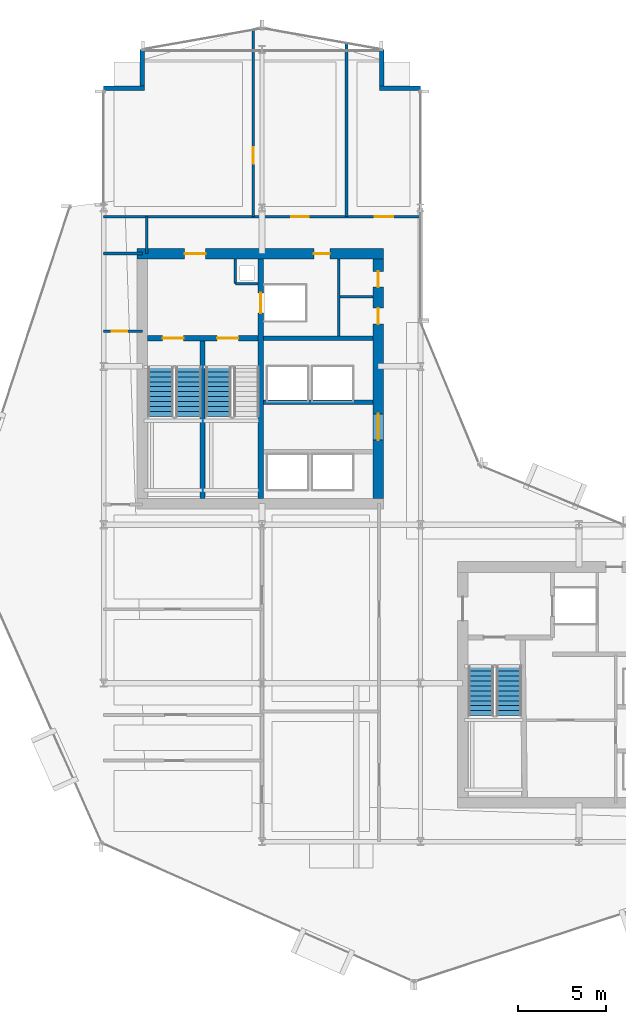
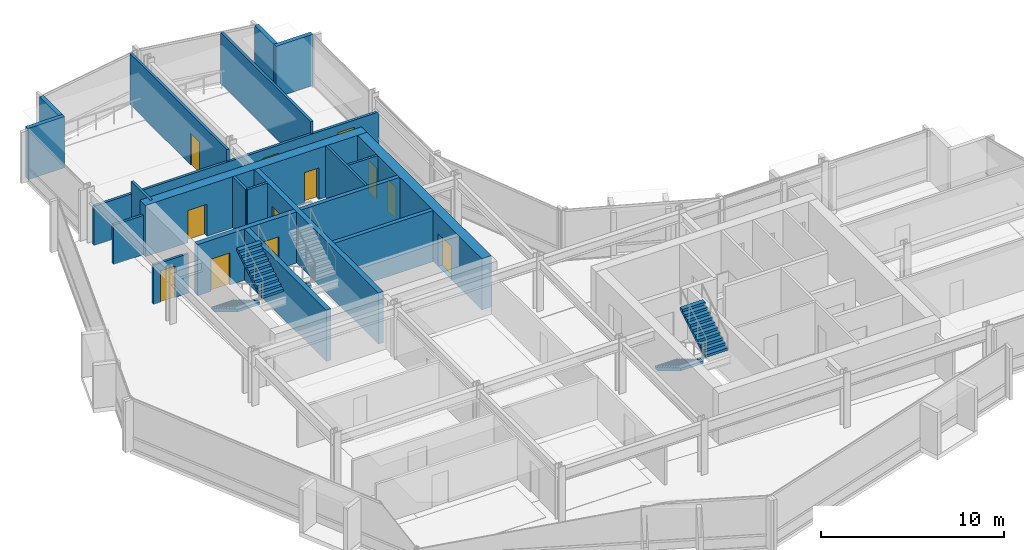
# One storey, part 23 of 29: 21 walls, 12 doors, 5 stair flights, 12 openings, 3 elements without a shape of their own.
"""IFC4 building model written with IfcOpenShell, lengths in metres."""

from ifc_helpers import new_model, si_unit, direction, frame, frame_2d, origin, place, context, subcontext, project, spatial, polyline, rectangle, outline, extrude, material, layer, layer_set, type_object, element, fill, aggregate, save


model = new_model("IFC4")

# Units and contexts
model_context = context("Model", 3, precision=1e-05, world=origin(), true_north=direction((0.0, 1.0)))
body_context = subcontext(model_context, "Body", "Model", "MODEL_VIEW")
ifc_project = project(units=[si_unit("LENGTHUNIT", "METRE"), si_unit("AREAUNIT", "SQUARE_METRE"), si_unit("VOLUMEUNIT", "CUBIC_METRE"), si_unit("PLANEANGLEUNIT", "RADIAN"), si_unit("MASSUNIT", "GRAM", prefix="KILO")], contexts=[model_context])

# Site, building, storey
site_placement = place(None, origin())
site = spatial("IfcSite", under=ifc_project, at=site_placement, CompositionType="ELEMENT")
building_placement = place(site_placement, origin())
building = spatial("IfcBuilding", under=site, at=building_placement, Name="Solvaryn Broadcast Tower", CompositionType="ELEMENT")
storey_placement = place(building_placement, frame((0.0, 0.0, 113.699951171875)))
storey = spatial("IfcBuildingStorey", under=building, at=storey_placement, Name="L27", CompositionType="ELEMENT", Elevation=113.699951171875)

# Wall, openings, doors
ifc_material_1 = material(Name="Concrete f'c 70 MPa", Category="concrete")
ifc_layer_1 = layer(ifc_material_1, 0.60009765625)
ifc_layer_set_1 = layer_set([ifc_layer_1], Name="CW-SHEAR-600")
wall_type_1 = type_object("IfcWallType", Name="CW-SHEAR-600", PredefinedType="SHEAR", material=ifc_layer_set_1)
wall_1_placement = place(storey_placement, frame((24.89990234375, 42.39990234375, 0.0), z_axis=(0.0, 0.0, 1.0), x_axis=(-1.0, 0.0, 0.0)))
wall_1 = element("IfcWall", 1, at=wall_1_placement, inside=storey, type_object=wall_type_1, Name="L27 West Core North Shear Wall", PredefinedType="SHEAR", context=body_context, shape_type="SweptSolid", body=[
    extrude(rectangle(XDim=14.0, YDim=0.60009765625, at=frame_2d((7.0, 0.0))), origin(), (0.0, 0.0, 1.0), 3.420166015625),
])
opening_1_placement = place(wall_1_placement, frame((10.10009765625, 0.0, 0.0)))
opening_1 = element("IfcOpeningElement", 2, at=opening_1_placement, cuts=wall_1, Name="Opening FD90A", PredefinedType="OPENING", context=body_context, shape_type="SweptSolid", body=[
    extrude(rectangle(XDim=1.199951171875, YDim=2.14990234375, at=frame_2d((0.60009765625, 1.074951171875))), frame((0.0, 0.31005859375, 0.0), z_axis=(0.0, -1.0, 0.0), x_axis=(1.0, 0.0, 0.0)), (0.0, 0.0, 1.0), 0.6201171875),
])
opening_2_placement = place(wall_1_placement, frame((3.050048828125, 0.0, 0.0)))
opening_2 = element("IfcOpeningElement", 3, at=opening_2_placement, cuts=wall_1, Name="Opening FD60C", PredefinedType="OPENING", context=body_context, shape_type="SweptSolid", body=[
    extrude(rectangle(XDim=0.89990234375, YDim=2.10009765625, at=frame_2d((0.449951171875, 1.050048828125))), frame((0.0, 0.31005859375, 0.0), z_axis=(0.0, -1.0, 0.0), x_axis=(1.0, 0.0, 0.0)), (0.0, 0.0, 1.0), 0.6201171875),
])
ifc_material_2 = material(Name="Flush Acoustic Steel and Timber Door Assembly", Category="steel")
door_type_1 = type_object("IfcDoorType", Name="FD60-SERV-900X2100", OperationType="NOTDEFINED", PredefinedType="DOOR", material=ifc_material_2)
door_1_placement = place(opening_2_placement, origin())
door_1 = element("IfcDoor", 4, at=door_1_placement, inside=storey, type_object=door_type_1, Name="L27 West Core Fiber Riser Door", OperationType="SINGLE_SWING_RIGHT", OverallHeight=2.10009765625, OverallWidth=0.89990234375, PredefinedType="DOOR", context=body_context, shape_type="SweptSolid", body=[
    extrude(rectangle(XDim=0.89990234375, YDim=2.10009765625, at=frame_2d((0.449951171875, 1.050048828125))), frame((0.0, 0.02490234375, 0.0), z_axis=(0.0, -1.0, 0.0), x_axis=(1.0, 0.0, 0.0)), (0.0, 0.0, 1.0), 0.050048828125),
])
fill(opening_2, door_1)
ifc_material_3 = material(Name="Flush Acoustic Steel and Timber Door Assembly", Category="steel")
door_type_2 = type_object("IfcDoorType", Name="FD90-STAIR-1200X2150", OperationType="NOTDEFINED", PredefinedType="DOOR", material=ifc_material_3)
door_2_placement = place(opening_1_placement, origin())
door_2 = element("IfcDoor", 5, at=door_2_placement, inside=storey, type_object=door_type_2, Name="L27 West FSAE Lobby Corridor Door", OperationType="SINGLE_SWING_LEFT", OverallHeight=2.14990234375, OverallWidth=1.199951171875, PredefinedType="DOOR", context=body_context, shape_type="SweptSolid", body=[
    extrude(rectangle(XDim=1.199951171875, YDim=2.14990234375, at=frame_2d((0.60009765625, 1.074951171875))), frame((0.0, 0.02490234375, 0.0), z_axis=(0.0, -1.0, 0.0), x_axis=(1.0, 0.0, 0.0)), (0.0, 0.0, 1.0), 0.050048828125),
])
fill(opening_1, door_2)

wall_2_placement = place(storey_placement, frame((24.60009765625, 28.5, 0.0), z_axis=(0.0, 0.0, 1.0), x_axis=(0.0, 1.0, 0.0)))
wall_2 = element("IfcWall", 6, at=wall_2_placement, inside=storey, type_object=wall_type_1, Name="L27 West Core East Shear Wall", PredefinedType="SHEAR", context=body_context, shape_type="SweptSolid", body=[
    extrude(rectangle(XDim=13.60009765625, YDim=0.60009765625, at=frame_2d((6.800048828125, 0.0))), origin(), (0.0, 0.0, 1.0), 3.420166015625),
])
opening_3_placement = place(wall_2_placement, frame((3.300048828125, 0.0, 0.0)))
opening_3 = element("IfcOpeningElement", 7, at=opening_3_placement, cuts=wall_2, Name="Opening FD60A", PredefinedType="OPENING", context=body_context, shape_type="SweptSolid", body=[
    extrude(rectangle(XDim=1.5, YDim=2.199951171875, at=frame_2d((0.75, 1.10009765625))), frame((0.0, 0.31005859375, 0.0), z_axis=(0.0, -1.0, 0.0), x_axis=(1.0, 0.0, 0.0)), (0.0, 0.0, 1.0), 0.6201171875),
])
opening_4_placement = place(wall_2_placement, frame((9.89990234375, 0.0, 0.0)))
opening_4 = element("IfcOpeningElement", 8, at=opening_4_placement, cuts=wall_2, Name="Opening FD60C", PredefinedType="OPENING", context=body_context, shape_type="SweptSolid", body=[
    extrude(rectangle(XDim=0.89990234375, YDim=2.10009765625, at=frame_2d((0.449951171875, 1.050048828125))), frame((0.0, 0.31005859375, 0.0), z_axis=(0.0, -1.0, 0.0), x_axis=(1.0, 0.0, 0.0)), (0.0, 0.0, 1.0), 0.6201171875),
])
opening_5_placement = place(wall_2_placement, frame((12.0, 0.0, 0.0)))
opening_5 = element("IfcOpeningElement", 9, at=opening_5_placement, cuts=wall_2, Name="Opening FD60C", PredefinedType="OPENING", context=body_context, shape_type="SweptSolid", body=[
    extrude(rectangle(XDim=0.89990234375, YDim=2.10009765625, at=frame_2d((0.449951171875, 1.050048828125))), frame((0.0, 0.31005859375, 0.0), z_axis=(0.0, -1.0, 0.0), x_axis=(1.0, 0.0, 0.0)), (0.0, 0.0, 1.0), 0.6201171875),
])
ifc_material_4 = material(Name="Flush Acoustic Steel and Timber Door Assembly", Category="steel")
door_type_3 = type_object("IfcDoorType", Name="FD60-CORR-1500X2200", OperationType="NOTDEFINED", PredefinedType="DOOR", material=ifc_material_4)
door_3_placement = place(opening_3_placement, origin())
door_3 = element("IfcDoor", 10, at=door_3_placement, inside=storey, type_object=door_type_3, Name="L27 West Elevator Lobby Corridor Door", OperationType="DOUBLE_DOOR_SINGLE_SWING", OverallHeight=2.199951171875, OverallWidth=1.5, PredefinedType="DOOR", context=body_context, shape_type="SweptSolid", body=[
    extrude(rectangle(XDim=1.5, YDim=2.199951171875, at=frame_2d((0.75, 1.10009765625))), frame((0.0, 0.02490234375, 0.0), z_axis=(0.0, -1.0, 0.0), x_axis=(1.0, 0.0, 0.0)), (0.0, 0.0, 1.0), 0.050048828125),
])
fill(opening_3, door_3)
door_4_placement = place(opening_4_placement, origin())
door_4 = element("IfcDoor", 11, at=door_4_placement, inside=storey, type_object=door_type_1, Name="L27 West Core Service Door 1", OperationType="SINGLE_SWING_LEFT", OverallHeight=2.10009765625, OverallWidth=0.89990234375, PredefinedType="DOOR", context=body_context, shape_type="SweptSolid", body=[
    extrude(rectangle(XDim=0.89990234375, YDim=2.10009765625, at=frame_2d((0.449951171875, 1.050048828125))), frame((0.0, 0.02490234375, 0.0), z_axis=(0.0, -1.0, 0.0), x_axis=(1.0, 0.0, 0.0)), (0.0, 0.0, 1.0), 0.050048828125),
])
fill(opening_4, door_4)
door_5_placement = place(opening_5_placement, origin())
door_5 = element("IfcDoor", 12, at=door_5_placement, inside=storey, type_object=door_type_1, Name="L27 West Core Janitor Door", OperationType="SINGLE_SWING_RIGHT", OverallHeight=2.10009765625, OverallWidth=0.89990234375, PredefinedType="DOOR", context=body_context, shape_type="SweptSolid", body=[
    extrude(rectangle(XDim=0.89990234375, YDim=2.10009765625, at=frame_2d((0.449951171875, 1.050048828125))), frame((0.0, 0.02490234375, 0.0), z_axis=(0.0, -1.0, 0.0), x_axis=(1.0, 0.0, 0.0)), (0.0, 0.0, 1.0), 0.050048828125),
])
fill(opening_5, door_5)

# Walls
ifc_material_5 = material(Name="Concrete f'c 50 MPa", Category="concrete")
ifc_layer_2 = layer(ifc_material_5, 0.260009765625)
ifc_layer_set_2 = layer_set([ifc_layer_2], Name="EW-PIER-260")
wall_type_2 = type_object("IfcWallType", Name="EW-PIER-260", PredefinedType="SOLIDWALL", material=ifc_layer_set_2)
wall_3_placement = place(storey_placement, frame((9.0, 51.800048828125, 0.0), z_axis=(0.0, 0.0, 1.0), x_axis=(1.0, 0.0, 0.0)))
element("IfcWall", 13, at=wall_3_placement, inside=storey, type_object=wall_type_2, Name="L27 Notched Corner Pier Wall NNW1", PredefinedType="SOLIDWALL", context=body_context, shape_type="SweptSolid", body=[
    extrude(rectangle(XDim=2.320068359375, YDim=0.260009765625, at=frame_2d((1.16015625, 0.0))), origin(), (0.0, 0.0, 1.0), 3.420166015625),
])
for number, where, z_axis, x_axis, name in (
    (14, (11.199951171875, 51.919921875, 0.0), (0.0, 0.0, 1.0), (0.0, 1.0, 0.0), "L27 Notched Corner Pier Wall NNW2"),
    (15, (24.800048828125, 54.0, 0.0), (0.0, 0.0, 1.0), (0.0, -1.0, 0.0), "L27 Notched Corner Pier Wall NNE1"),
):
    element("IfcWall", number, at=place(storey_placement, frame(where, z_axis=z_axis, x_axis=x_axis)), inside=storey, type_object=wall_type_2, Name=name, PredefinedType="SOLIDWALL", context=body_context, shape_type="SweptSolid", body=[
        extrude(rectangle(XDim=2.080078125, YDim=0.260009765625, at=frame_2d((1.0400390625, 0.0))), origin(), (0.0, 0.0, 1.0), 3.420166015625),
    ])
wall_4_placement = place(storey_placement, frame((24.679931640625, 51.800048828125, 0.0), z_axis=(0.0, 0.0, 1.0), x_axis=(1.0, 0.0, 0.0)))
element("IfcWall", 16, at=wall_4_placement, inside=storey, type_object=wall_type_2, Name="L27 Notched Corner Pier Wall NNE2", PredefinedType="SOLIDWALL", context=body_context, shape_type="SweptSolid", body=[
    extrude(rectangle(XDim=2.320068359375, YDim=0.260009765625, at=frame_2d((1.16015625, 0.0))), origin(), (0.0, 0.0, 1.0), 3.420166015625),
])
ifc_material_6 = material(Name="Metal-Stud Service Core Partition")
ifc_layer_3 = layer(ifc_material_6, 0.14990234375)
ifc_layer_set_3 = layer_set([ifc_layer_3], Name="IW-PART-150")
wall_type_3 = type_object("IfcWallType", Name="IW-PART-150", PredefinedType="PARTITIONING", material=ifc_layer_set_3)
wall_5_placement = place(storey_placement, frame((16.47998046875, 40.699951171875, 0.0), z_axis=(0.0, 0.0, 1.0), x_axis=(1.0, 0.0, 0.0)))
element("IfcWall", 17, at=wall_5_placement, inside=storey, type_object=wall_type_3, Name="L27 West Core Riser Shaft South Wall", PredefinedType="PARTITIONING", context=body_context, shape_type="SweptSolid", body=[
    extrude(rectangle(XDim=1.2900390625, YDim=0.14990234375, at=frame_2d((0.64501953125, 0.0))), origin(), (0.0, 0.0, 1.0), 3.420166015625),
])
wall_6_placement = place(storey_placement, frame((16.47998046875, 40.699951171875, 0.0), z_axis=(0.0, 0.0, 1.0), x_axis=(0.0, 1.0, 0.0)))
element("IfcWall", 18, at=wall_6_placement, inside=storey, type_object=wall_type_3, Name="L27 West Core Riser Shaft West Wall", PredefinedType="PARTITIONING", context=body_context, shape_type="SweptSolid", body=[
    extrude(rectangle(XDim=1.400146484375, YDim=0.14990234375, at=frame_2d((0.7001953125, 0.0))), origin(), (0.0, 0.0, 1.0), 3.420166015625),
])
wall_7_placement = place(storey_placement, frame((22.35009765625, 37.72998046875, 0.0), z_axis=(0.0, 0.0, 1.0), x_axis=(0.0, 1.0, 0.0)))
element("IfcWall", 19, at=wall_7_placement, inside=storey, type_object=wall_type_3, Name="L27 Interior Partition IW-L27-CWS-V", PredefinedType="PARTITIONING", context=body_context, shape_type="SweptSolid", body=[
    extrude(rectangle(XDim=4.3701171875, YDim=0.14990234375, at=frame_2d((2.18505859375, 0.0))), origin(), (0.0, 0.0, 1.0), 3.420166015625),
])
wall_8_placement = place(storey_placement, frame((22.429931640625, 39.949951171875, 0.0), z_axis=(0.0, 0.0, 1.0), x_axis=(1.0, 0.0, 0.0)))
element("IfcWall", 20, at=wall_8_placement, inside=storey, type_object=wall_type_3, Name="L27 Interior Partition IW-L27-CWS-H", PredefinedType="PARTITIONING", context=body_context, shape_type="SweptSolid", body=[
    extrude(rectangle(XDim=1.8701171875, YDim=0.14990234375, at=frame_2d((0.93505859375, 0.0))), origin(), (0.0, 0.0, 1.0), 3.420166015625),
])

# Wall, opening, door
wall_9_placement = place(storey_placement, frame((9.0, 38.0, 0.0), z_axis=(0.0, 0.0, 1.0), x_axis=(1.0, 0.0, 0.0)))
wall_9 = element("IfcWall", 21, at=wall_9_placement, inside=storey, type_object=wall_type_3, Name="L27 Interior Partition IW-L27-WM-M", PredefinedType="PARTITIONING", context=body_context, shape_type="SweptSolid", body=[
    extrude(rectangle(XDim=2.199951171875, YDim=0.14990234375, at=frame_2d((1.10009765625, 0.0))), origin(), (0.0, 0.0, 1.0), 2.634033203125),
])
opening_6_placement = place(wall_9_placement, frame((0.449951171875, 0.0, 0.0)))
opening_6 = element("IfcOpeningElement", 22, at=opening_6_placement, cuts=wall_9, Name="Opening FD60C", PredefinedType="OPENING", context=body_context, shape_type="SweptSolid", body=[
    extrude(rectangle(XDim=0.89990234375, YDim=2.10009765625, at=frame_2d((0.449951171875, 1.050048828125))), frame((0.0, 0.0849609375, 0.0), z_axis=(0.0, -1.0, 0.0), x_axis=(1.0, 0.0, 0.0)), (0.0, 0.0, 1.0), 0.169921875),
])
door_6_placement = place(opening_6_placement, origin())
door_6 = element("IfcDoor", 23, at=door_6_placement, inside=storey, type_object=door_type_1, Name="L27 Door DR-L27-WM1", OperationType="SINGLE_SWING_LEFT", OverallHeight=2.10009765625, OverallWidth=0.89990234375, PredefinedType="DOOR", context=body_context, shape_type="SweptSolid", body=[
    extrude(rectangle(XDim=0.89990234375, YDim=2.10009765625, at=frame_2d((0.449951171875, 1.050048828125))), frame((0.0, 0.02490234375, 0.0), z_axis=(0.0, -1.0, 0.0), x_axis=(1.0, 0.0, 0.0)), (0.0, 0.0, 1.0), 0.050048828125),
])
fill(opening_6, door_6)

# Walls
ifc_material_7 = material(Name="Metal-Stud Gypsum Office Partition")
ifc_layer_4 = layer(ifc_material_7, 0.159912109375)
ifc_layer_set_4 = layer_set([ifc_layer_4], Name="IW-PART-160")
wall_type_4 = type_object("IfcWallType", Name="IW-PART-160", PredefinedType="PARTITIONING", material=ifc_layer_set_4)
wall_10_placement = place(storey_placement, frame((9.0, 42.39990234375, 0.0), z_axis=(0.0, 0.0, 1.0), x_axis=(1.0, 0.0, 0.0)))
element("IfcWall", 24, at=wall_10_placement, inside=storey, type_object=wall_type_4, Name="L27 Interior Partition IW-L27-WM-N", PredefinedType="PARTITIONING", context=body_context, shape_type="SweptSolid", body=[
    extrude(rectangle(XDim=2.199951171875, YDim=0.159912109375, at=frame_2d((1.10009765625, 0.0))), origin(), (0.0, 0.0, 1.0), 2.634033203125),
])
wall_11_placement = place(storey_placement, frame((11.449951171875, 42.39990234375, 0.0), z_axis=(0.0, 0.0, 1.0), x_axis=(0.0, 1.0, 0.0)))
element("IfcWall", 25, at=wall_11_placement, inside=storey, type_object=wall_type_4, Name="L27 Interior Partition IW-L27-WM-E", PredefinedType="PARTITIONING", context=body_context, shape_type="SweptSolid", body=[
    extrude(rectangle(XDim=2.10009765625, YDim=0.159912109375, at=frame_2d((1.050048828125, 0.0))), origin(), (0.0, 0.0, 1.0), 3.420166015625),
])

# Wall, openings, doors
wall_12_placement = place(storey_placement, frame((9.0, 44.5, 0.0), z_axis=(0.0, 0.0, 1.0), x_axis=(1.0, 0.0, 0.0)))
wall_12 = element("IfcWall", 26, at=wall_12_placement, inside=storey, type_object=wall_type_4, Name="L27 Interior Partition IW-L27-NW-SB", PredefinedType="PARTITIONING", context=body_context, shape_type="SweptSolid", body=[
    extrude(rectangle(XDim=18.0, YDim=0.159912109375, at=frame_2d((9.0, 0.0))), origin(), (0.0, 0.0, 1.0), 2.634033203125),
])
opening_7_placement = place(wall_12_placement, frame((10.64990234375, 0.0, 0.0)))
opening_7 = element("IfcOpeningElement", 27, at=opening_7_placement, cuts=wall_12, Name="Opening ID02", PredefinedType="OPENING", context=body_context, shape_type="SweptSolid", body=[
    extrude(rectangle(XDim=1.0, YDim=2.10009765625, at=frame_2d((0.5, 1.050048828125))), frame((0.0, 0.090087890625, 0.0), z_axis=(0.0, -1.0, 0.0), x_axis=(1.0, 0.0, 0.0)), (0.0, 0.0, 1.0), 0.179931640625),
])
opening_8_placement = place(wall_12_placement, frame((15.39990234375, 0.0, 0.0)))
opening_8 = element("IfcOpeningElement", 28, at=opening_8_placement, cuts=wall_12, Name="Opening ID03", PredefinedType="OPENING", context=body_context, shape_type="SweptSolid", body=[
    extrude(rectangle(XDim=1.050048828125, YDim=2.14990234375, at=frame_2d((0.52490234375, 1.074951171875))), frame((0.0, 0.090087890625, 0.0), z_axis=(0.0, -1.0, 0.0), x_axis=(1.0, 0.0, 0.0)), (0.0, 0.0, 1.0), 0.179931640625),
])
ifc_material_8 = material(Name="Flush Acoustic Steel and Timber Door Assembly", Category="steel")
door_type_4 = type_object("IfcDoorType", Name="ID-02-1000X2100", OperationType="NOTDEFINED", PredefinedType="DOOR", material=ifc_material_8)
door_7_placement = place(opening_7_placement, origin())
door_7 = element("IfcDoor", 29, at=door_7_placement, inside=storey, type_object=door_type_4, Name="L27 Door DR-L27-NW-2", OperationType="SINGLE_SWING_RIGHT", OverallHeight=2.10009765625, OverallWidth=1.0, PredefinedType="DOOR", context=body_context, shape_type="SweptSolid", body=[
    extrude(rectangle(XDim=1.0, YDim=2.10009765625, at=frame_2d((0.5, 1.050048828125))), frame((0.0, 0.02490234375, 0.0), z_axis=(0.0, -1.0, 0.0), x_axis=(1.0, 0.0, 0.0)), (0.0, 0.0, 1.0), 0.050048828125),
])
fill(opening_7, door_7)
ifc_material_9 = material(Name="Flush Acoustic Steel and Timber Door Assembly", Category="steel")
door_type_5 = type_object("IfcDoorType", Name="ID-03-1050X2150", OperationType="NOTDEFINED", PredefinedType="DOOR", material=ifc_material_9)
door_8_placement = place(opening_8_placement, origin())
door_8 = element("IfcDoor", 30, at=door_8_placement, inside=storey, type_object=door_type_5, Name="L27 Door DR-L27-NW-3", OperationType="SINGLE_SWING_LEFT", OverallHeight=2.14990234375, OverallWidth=1.050048828125, PredefinedType="DOOR", context=body_context, shape_type="SweptSolid", body=[
    extrude(rectangle(XDim=1.050048828125, YDim=2.14990234375, at=frame_2d((0.52490234375, 1.074951171875))), frame((0.0, 0.02490234375, 0.0), z_axis=(0.0, -1.0, 0.0), x_axis=(1.0, 0.0, 0.0)), (0.0, 0.0, 1.0), 0.050048828125),
])
fill(opening_8, door_8)

# Wall, opening, door
wall_13_placement = place(storey_placement, frame((17.5, 44.5, 0.0), z_axis=(0.0, 0.0, 1.0), x_axis=(0.0, 1.0, 0.0)))
wall_13 = element("IfcWall", 31, at=wall_13_placement, inside=storey, type_object=wall_type_4, Name="L27 Interior Partition IW-L27-NW-V1", PredefinedType="PARTITIONING", context=body_context, shape_type="SweptSolid", body=[
    extrude(rectangle(XDim=10.612060546875, YDim=0.159912109375, at=frame_2d((5.30615234375, 0.0))), origin(), (0.0, 0.0, 1.0), 3.420166015625),
])
opening_9_placement = place(wall_13_placement, frame((3.0, 0.0, 0.0)))
opening_9 = element("IfcOpeningElement", 32, at=opening_9_placement, cuts=wall_13, Name="Opening ID01", PredefinedType="OPENING", context=body_context, shape_type="SweptSolid", body=[
    extrude(rectangle(XDim=0.949951171875, YDim=2.10009765625, at=frame_2d((0.47509765625, 1.050048828125))), frame((0.0, 0.090087890625, 0.0), z_axis=(0.0, -1.0, 0.0), x_axis=(1.0, 0.0, 0.0)), (0.0, 0.0, 1.0), 0.179931640625),
])
ifc_material_10 = material(Name="Flush Acoustic Steel and Timber Door Assembly", Category="steel")
door_type_6 = type_object("IfcDoorType", Name="ID-01-950X2100", OperationType="NOTDEFINED", PredefinedType="DOOR", material=ifc_material_10)
door_9_placement = place(opening_9_placement, origin())
door_9 = element("IfcDoor", 33, at=door_9_placement, inside=storey, type_object=door_type_6, Name="L27 Door DR-L27-NW-C1", OperationType="SINGLE_SWING_LEFT", OverallHeight=2.10009765625, OverallWidth=0.949951171875, PredefinedType="DOOR", context=body_context, shape_type="SweptSolid", body=[
    extrude(rectangle(XDim=0.949951171875, YDim=2.10009765625, at=frame_2d((0.47509765625, 1.050048828125))), frame((0.0, 0.02490234375, 0.0), z_axis=(0.0, -1.0, 0.0), x_axis=(1.0, 0.0, 0.0)), (0.0, 0.0, 1.0), 0.050048828125),
])
fill(opening_9, door_9)

# Walls
wall_14_placement = place(storey_placement, frame((22.800048828125, 44.5, 0.0), z_axis=(0.0, 0.0, 1.0), x_axis=(0.0, 1.0, 0.0)))
element("IfcWall", 34, at=wall_14_placement, inside=storey, type_object=wall_type_4, Name="L27 Interior Partition IW-L27-NW-V2", PredefinedType="PARTITIONING", context=body_context, shape_type="SweptSolid", body=[
    extrude(rectangle(XDim=9.85302734375, YDim=0.159912109375, at=frame_2d((4.926513671875, 0.0))), origin(), (0.0, 0.0, 1.0), 3.420166015625),
])
ifc_material_11 = material(Name="Concrete f'c 60 MPa", Category="concrete")
ifc_layer_5 = layer(ifc_material_11, 0.25)
ifc_layer_set_5 = layer_set([ifc_layer_5], Name="SW-SHAFT-250")
wall_type_5 = type_object("IfcWallType", Name="SW-SHAFT-250", PredefinedType="PARTITIONING", material=ifc_layer_set_5)
for number, where, z_axis, x_axis, name in (
    (35, (18.070068359375, 37.60009765625, 0.0), (0.0, 0.0, 1.0), (1.0, 0.0, 0.0), "L27 West Core FSAE Hoistway Front Wall"),
    (36, (24.300048828125, 33.949951171875, 0.0), (0.0, 0.0, 1.0), (-1.0, 0.0, 0.0), "L27 High-Rise Lift Bank North Wall"),
):
    element("IfcWall", number, at=place(storey_placement, frame(where, z_axis=z_axis, x_axis=x_axis)), inside=storey, type_object=wall_type_5, Name=name, PredefinedType="PARTITIONING", context=body_context, shape_type="SweptSolid", body=[
        extrude(rectangle(XDim=6.22998046875, YDim=0.25, at=frame_2d((3.114990234375, 0.0))), origin(), (0.0, 0.0, 1.0), 3.420166015625),
    ])
ifc_material_12 = material(Name="Concrete f'c 70 MPa", Category="concrete")
ifc_layer_6 = layer(ifc_material_12, 0.300048828125)
ifc_layer_set_6 = layer_set([ifc_layer_6], Name="SW-SHAFT-300")
wall_type_6 = type_object("IfcWallType", Name="SW-SHAFT-300", PredefinedType="SHEAR", material=ifc_layer_set_6)
wall_15_placement = place(storey_placement, frame((14.6201171875, 28.5, 0.0), z_axis=(0.0, 0.0, 1.0), x_axis=(0.0, 1.0, 0.0)))
element("IfcWall", 37, at=wall_15_placement, inside=storey, type_object=wall_type_6, Name="L27 Stair 1-2 Dividing Wall", PredefinedType="SHEAR", context=body_context, shape_type="SweptSolid", body=[
    extrude(rectangle(XDim=8.949951171875, YDim=0.300048828125, at=frame_2d((4.47509765625, 0.0))), origin(), (0.0, 0.0, 1.0), 3.420166015625),
])

# Wall, opening, door
wall_16_placement = place(storey_placement, frame((17.919921875, 42.10009765625, 0.0), z_axis=(0.0, 0.0, 1.0), x_axis=(0.0, -1.0, 0.0)))
wall_16 = element("IfcWall", 38, at=wall_16_placement, inside=storey, type_object=wall_type_6, Name="L27 West Core Stair-Lobby Shear Wall", PredefinedType="SHEAR", context=body_context, shape_type="SweptSolid", body=[
    extrude(rectangle(XDim=13.60009765625, YDim=0.300048828125, at=frame_2d((6.800048828125, 0.0))), origin(), (0.0, 0.0, 1.0), 3.420166015625),
])
opening_10_placement = place(wall_16_placement, frame((1.925048828125, 0.0, 0.0)))
opening_10 = element("IfcOpeningElement", 39, at=opening_10_placement, cuts=wall_16, Name="Opening LD01", PredefinedType="OPENING", context=body_context, shape_type="SweptSolid", body=[
    extrude(rectangle(XDim=1.14990234375, YDim=2.14990234375, at=frame_2d((0.574951171875, 1.074951171875))), frame((0.0, 0.159912109375, 0.0), z_axis=(0.0, -1.0, 0.0), x_axis=(1.0, 0.0, 0.0)), (0.0, 0.0, 1.0), 0.320068359375),
])
ifc_material_13 = material(Name="Flush Acoustic Steel and Timber Door Assembly", Category="steel")
door_type_7 = type_object("IfcDoorType", Name="LD-LIFT-1150X2150", OperationType="NOTDEFINED", PredefinedType="DOOR", material=ifc_material_13)
door_10_placement = place(opening_10_placement, origin())
door_10 = element("IfcDoor", 40, at=door_10_placement, inside=storey, type_object=door_type_7, Name="L27 FL1 Lift Landing Door", OperationType="DOUBLE_DOOR_SLIDING", OverallHeight=2.14990234375, OverallWidth=1.14990234375, PredefinedType="DOOR", context=body_context, shape_type="SweptSolid", body=[
    extrude(rectangle(XDim=1.14990234375, YDim=2.14990234375, at=frame_2d((0.574951171875, 1.074951171875))), frame((0.0, 0.02490234375, 0.0), z_axis=(0.0, -1.0, 0.0), x_axis=(1.0, 0.0, 0.0)), (0.0, 0.0, 1.0), 0.050048828125),
])
fill(opening_10, door_10)

# Wall, openings, doors
wall_17_placement = place(storey_placement, frame((17.77001953125, 37.60009765625, 0.0), z_axis=(0.0, 0.0, 1.0), x_axis=(-1.0, 0.0, 0.0)))
wall_17 = element("IfcWall", 41, at=wall_17_placement, inside=storey, type_object=wall_type_6, Name="L27 West Core FSAE Lobby South Wall", PredefinedType="SHEAR", context=body_context, shape_type="SweptSolid", body=[
    extrude(rectangle(XDim=6.27001953125, YDim=0.300048828125, at=frame_2d((3.135009765625, 0.0))), origin(), (0.0, 0.0, 1.0), 3.420166015625),
])
opening_11_placement = place(wall_17_placement, frame((4.219970703125, 0.0, 0.0)))
opening_11 = element("IfcOpeningElement", 42, at=opening_11_placement, cuts=wall_17, Name="Opening FD90A", PredefinedType="OPENING", context=body_context, shape_type="SweptSolid", body=[
    extrude(rectangle(XDim=1.199951171875, YDim=2.14990234375, at=frame_2d((0.60009765625, 1.074951171875))), frame((0.0, 0.159912109375, 0.0), z_axis=(0.0, -1.0, 0.0), x_axis=(1.0, 0.0, 0.0)), (0.0, 0.0, 1.0), 0.320068359375),
])
opening_12_placement = place(wall_17_placement, frame((1.1201171875, 0.0, 0.0)))
opening_12 = element("IfcOpeningElement", 43, at=opening_12_placement, cuts=wall_17, Name="Opening FD90A", PredefinedType="OPENING", context=body_context, shape_type="SweptSolid", body=[
    extrude(rectangle(XDim=1.199951171875, YDim=2.14990234375, at=frame_2d((0.60009765625, 1.074951171875))), frame((0.0, 0.159912109375, 0.0), z_axis=(0.0, -1.0, 0.0), x_axis=(1.0, 0.0, 0.0)), (0.0, 0.0, 1.0), 0.320068359375),
])
door_11_placement = place(opening_11_placement, origin())
door_11 = element("IfcDoor", 44, at=door_11_placement, inside=storey, type_object=door_type_2, Name="L27 Stair 1 Fire Door", OperationType="SINGLE_SWING_LEFT", OverallHeight=2.14990234375, OverallWidth=1.199951171875, PredefinedType="DOOR", context=body_context, shape_type="SweptSolid", body=[
    extrude(rectangle(XDim=1.199951171875, YDim=2.14990234375, at=frame_2d((0.60009765625, 1.074951171875))), frame((0.0, 0.02490234375, 0.0), z_axis=(0.0, -1.0, 0.0), x_axis=(1.0, 0.0, 0.0)), (0.0, 0.0, 1.0), 0.050048828125),
])
fill(opening_11, door_11)
door_12_placement = place(opening_12_placement, origin())
door_12 = element("IfcDoor", 45, at=door_12_placement, inside=storey, type_object=door_type_2, Name="L27 Stair 2 Fire Door", OperationType="SINGLE_SWING_RIGHT", OverallHeight=2.14990234375, OverallWidth=1.199951171875, PredefinedType="DOOR", context=body_context, shape_type="SweptSolid", body=[
    extrude(rectangle(XDim=1.199951171875, YDim=2.14990234375, at=frame_2d((0.60009765625, 1.074951171875))), frame((0.0, 0.02490234375, 0.0), z_axis=(0.0, -1.0, 0.0), x_axis=(1.0, 0.0, 0.0)), (0.0, 0.0, 1.0), 0.050048828125),
])
fill(opening_12, door_12)

# Stair, stair flights
ifc_material_14 = material(Name="Concrete f'c 60 MPa", Category="concrete")
stair_type = type_object("IfcStairType", Name="ST-CORE", PredefinedType="HALF_TURN_STAIR", material=ifc_material_14)
stair_1_placement = place(storey_placement, origin())
stair_1 = element("IfcStair", 46, at=stair_1_placement, inside=storey, type_object=stair_type, Name="L27 ST1", PredefinedType="HALF_TURN_STAIR")
ifc_material_15 = material(Name="Concrete f'c 60 MPa", Category="concrete")
ifc_layer_7 = layer(ifc_material_15, 0.159912109375)
ifc_layer_set_7 = layer_set([ifc_layer_7], Name="SF-CORE")
stair_flight_type = type_object("IfcStairFlightType", Name="SF-CORE", PredefinedType="STRAIGHT", material=ifc_layer_set_7)
stair_flight_1_placement = place(storey_placement, frame((12.239990234375, 35.9599609375, 0.0), z_axis=(0.0, 0.0, 1.0), x_axis=(0.0, -1.0, 0.0)))
stair_flight_1 = element("IfcStairFlight", 47, at=stair_flight_1_placement, type_object=stair_flight_type, Name="ST1 flight 1", NumberOfRisers=11, NumberOfTreads=10, PredefinedType="STRAIGHT", RiserHeight=0.168181818, TreadLength=0.28, context=body_context, shape_type="SweptSolid", body=[
    extrude(outline(polyline([(0.0, 0.0), (0.0, 0.168212890625), (0.280029296875, 0.168212890625), (0.280029296875, 0.33642578125), (0.56005859375, 0.33642578125), (0.56005859375, 0.504638671875), (0.840087890625, 0.504638671875), (0.840087890625, 0.672607421875), (1.1201171875, 0.672607421875), (1.1201171875, 0.8408203125), (1.39990234375, 0.8408203125), (1.39990234375, 1.009033203125), (1.679931640625, 1.009033203125), (1.679931640625, 1.17724609375), (1.9599609375, 1.17724609375), (1.9599609375, 1.345458984375), (2.239990234375, 1.345458984375), (2.239990234375, 1.513671875), (2.52001953125, 1.513671875), (2.52001953125, 1.681884765625), (2.800048828125, 1.681884765625), (2.800048828125, 1.85009765625), (2.800048828125, 1.5068359375), (0.291015625, 0.0), (0.0, 0.0)])), frame((0.0, 0.719970703125, 0.0), z_axis=(0.0, -1.0, 0.0), x_axis=(1.0, 0.0, 0.0)), (0.0, 0.0, 1.0), 1.43994140625),
])
stair_flight_2_placement = place(storey_placement, frame((13.830078125, 33.159912109375, 1.85009765625), z_axis=(0.0, 0.0, 1.0), x_axis=(0.0, 1.0, 0.0)))
stair_flight_2 = element("IfcStairFlight", 48, at=stair_flight_2_placement, type_object=stair_flight_type, Name="ST1 flight 2", NumberOfRisers=11, NumberOfTreads=10, PredefinedType="STRAIGHT", RiserHeight=0.168181818, TreadLength=0.28, context=body_context, shape_type="SweptSolid", body=[
    extrude(outline(polyline([(0.0, 0.0), (0.0, 0.168212890625), (0.280029296875, 0.168212890625), (0.280029296875, 0.33642578125), (0.56005859375, 0.33642578125), (0.56005859375, 0.504638671875), (0.840087890625, 0.504638671875), (0.840087890625, 0.672607421875), (1.1201171875, 0.672607421875), (1.1201171875, 0.8408203125), (1.39990234375, 0.8408203125), (1.39990234375, 1.009033203125), (1.679931640625, 1.009033203125), (1.679931640625, 1.17724609375), (1.9599609375, 1.17724609375), (1.9599609375, 1.345458984375), (2.239990234375, 1.345458984375), (2.239990234375, 1.513671875), (2.52001953125, 1.513671875), (2.52001953125, 1.681884765625), (2.800048828125, 1.681884765625), (2.800048828125, 1.85009765625), (2.800048828125, 1.5068359375), (0.291015625, 0.0), (0.0, 0.0)])), frame((0.0, 0.719970703125, 0.0), z_axis=(0.0, -1.0, 0.0), x_axis=(1.0, 0.0, 0.0)), (0.0, 0.0, 1.0), 1.43994140625),
])
aggregate(stair_1, [stair_flight_1, stair_flight_2])

# Stair, stair flight
stair_2_placement = place(storey_placement, origin())
stair_2 = element("IfcStair", 49, at=stair_2_placement, inside=storey, type_object=stair_type, Name="L27 ST2", PredefinedType="HALF_TURN_STAIR")
stair_flight_3_placement = place(storey_placement, frame((15.52001953125, 35.9599609375, 0.0), z_axis=(0.0, 0.0, 1.0), x_axis=(0.0, -1.0, 0.0)))
stair_flight_3 = element("IfcStairFlight", 50, at=stair_flight_3_placement, type_object=stair_flight_type, Name="ST2 flight 1", NumberOfRisers=11, NumberOfTreads=10, PredefinedType="STRAIGHT", RiserHeight=0.168181818, TreadLength=0.28, context=body_context, shape_type="SweptSolid", body=[
    extrude(outline(polyline([(0.0, 0.0), (0.0, 0.168212890625), (0.280029296875, 0.168212890625), (0.280029296875, 0.33642578125), (0.56005859375, 0.33642578125), (0.56005859375, 0.504638671875), (0.840087890625, 0.504638671875), (0.840087890625, 0.672607421875), (1.1201171875, 0.672607421875), (1.1201171875, 0.8408203125), (1.39990234375, 0.8408203125), (1.39990234375, 1.009033203125), (1.679931640625, 1.009033203125), (1.679931640625, 1.17724609375), (1.9599609375, 1.17724609375), (1.9599609375, 1.345458984375), (2.239990234375, 1.345458984375), (2.239990234375, 1.513671875), (2.52001953125, 1.513671875), (2.52001953125, 1.681884765625), (2.800048828125, 1.681884765625), (2.800048828125, 1.85009765625), (2.800048828125, 1.5068359375), (0.291015625, 0.0), (0.0, 0.0)])), frame((0.0, 0.719970703125, 0.0), z_axis=(0.0, -1.0, 0.0), x_axis=(1.0, 0.0, 0.0)), (0.0, 0.0, 1.0), 1.43994140625),
])
aggregate(stair_2, [stair_flight_3])

# Stair, stair flights
stair_3_placement = place(storey_placement, origin())
stair_3 = element("IfcStair", 51, at=stair_3_placement, inside=storey, type_object=stair_type, Name="L27 ST3", PredefinedType="HALF_TURN_STAIR")
stair_flight_4_placement = place(storey_placement, frame((30.43994140625, 18.9599609375, 0.0), z_axis=(0.0, 0.0, 1.0), x_axis=(0.0, -1.0, 0.0)))
stair_flight_4 = element("IfcStairFlight", 52, at=stair_flight_4_placement, type_object=stair_flight_type, Name="ST3 flight 1", NumberOfRisers=11, NumberOfTreads=10, PredefinedType="STRAIGHT", RiserHeight=0.168181818, TreadLength=0.28, context=body_context, shape_type="SweptSolid", body=[
    extrude(outline(polyline([(0.0, 0.0), (0.0, 0.168212890625), (0.280029296875, 0.168212890625), (0.280029296875, 0.33642578125), (0.56005859375, 0.33642578125), (0.56005859375, 0.504638671875), (0.840087890625, 0.504638671875), (0.840087890625, 0.672607421875), (1.1201171875, 0.672607421875), (1.1201171875, 0.8408203125), (1.39990234375, 0.8408203125), (1.39990234375, 1.009033203125), (1.679931640625, 1.009033203125), (1.679931640625, 1.17724609375), (1.9599609375, 1.17724609375), (1.9599609375, 1.345458984375), (2.239990234375, 1.345458984375), (2.239990234375, 1.513671875), (2.52001953125, 1.513671875), (2.52001953125, 1.681884765625), (2.800048828125, 1.681884765625), (2.800048828125, 1.85009765625), (2.800048828125, 1.5068359375), (0.291015625, 0.0), (0.0, 0.0)])), frame((0.0, 0.719970703125, 0.0), z_axis=(0.0, -1.0, 0.0), x_axis=(1.0, 0.0, 0.0)), (0.0, 0.0, 1.0), 1.43994140625),
])
stair_flight_5_placement = place(storey_placement, frame((32.030029296875, 16.159912109375, 1.85009765625), z_axis=(0.0, 0.0, 1.0), x_axis=(0.0, 1.0, 0.0)))
stair_flight_5 = element("IfcStairFlight", 53, at=stair_flight_5_placement, type_object=stair_flight_type, Name="ST3 flight 2", NumberOfRisers=11, NumberOfTreads=10, PredefinedType="STRAIGHT", RiserHeight=0.168181818, TreadLength=0.28, context=body_context, shape_type="SweptSolid", body=[
    extrude(outline(polyline([(0.0, 0.0), (0.0, 0.168212890625), (0.280029296875, 0.168212890625), (0.280029296875, 0.33642578125), (0.56005859375, 0.33642578125), (0.56005859375, 0.504638671875), (0.840087890625, 0.504638671875), (0.840087890625, 0.672607421875), (1.1201171875, 0.672607421875), (1.1201171875, 0.8408203125), (1.39990234375, 0.8408203125), (1.39990234375, 1.009033203125), (1.679931640625, 1.009033203125), (1.679931640625, 1.17724609375), (1.9599609375, 1.17724609375), (1.9599609375, 1.345458984375), (2.239990234375, 1.345458984375), (2.239990234375, 1.513671875), (2.52001953125, 1.513671875), (2.52001953125, 1.681884765625), (2.800048828125, 1.681884765625), (2.800048828125, 1.85009765625), (2.800048828125, 1.5068359375), (0.291015625, 0.0), (0.0, 0.0)])), frame((0.0, 0.719970703125, 0.0), z_axis=(0.0, -1.0, 0.0), x_axis=(1.0, 0.0, 0.0)), (0.0, 0.0, 1.0), 1.43994140625),
])
aggregate(stair_3, [stair_flight_4, stair_flight_5])

save(model, "model.ifc")
